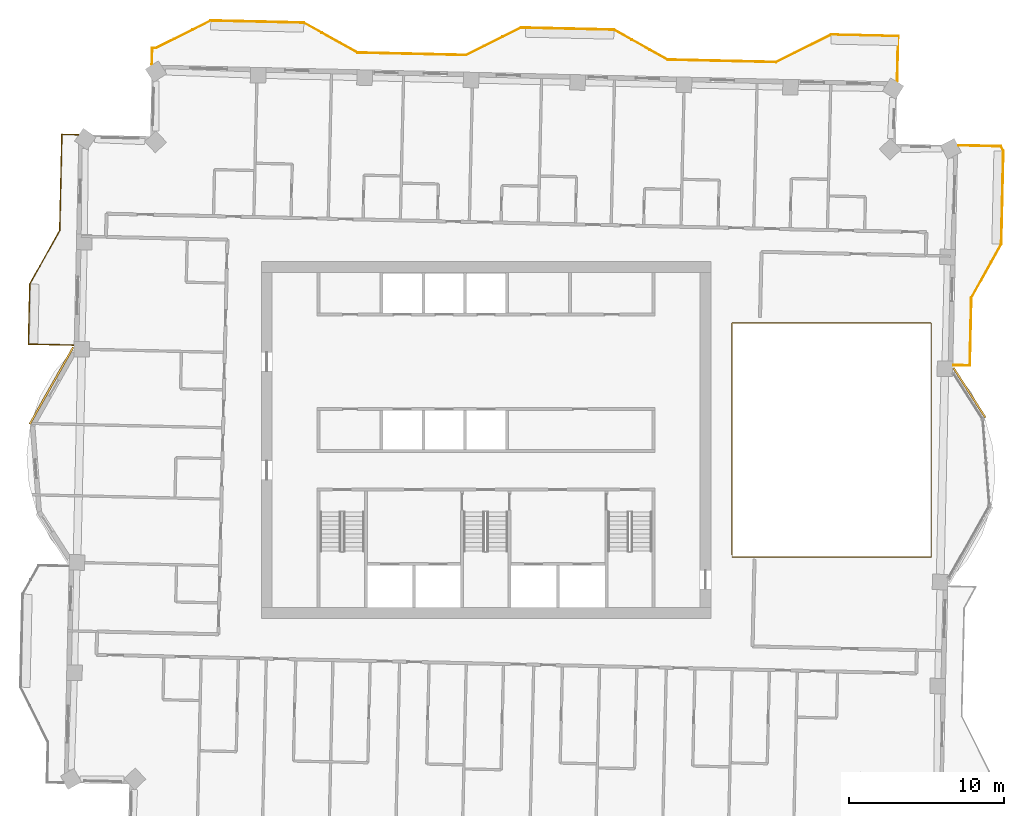
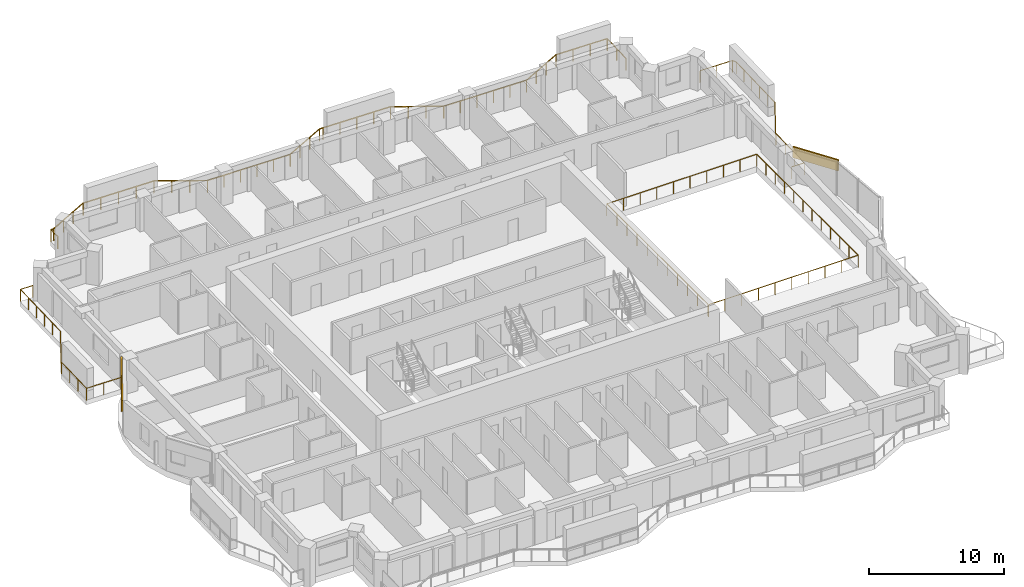
# One storey, part 17 of 17: 4 railings, 2 coverings.
"""IFC4 building model written with IfcOpenShell, lengths in metres."""

from ifc_helpers import new_model, si_unit, direction, frame, frame_2d, origin, origin_2d, place, context, subcontext, project, spatial, rectangle, extrude, material, layer, layer_set, type_object, element, save


model = new_model("IFC4")

# Units and contexts
model_context = context("Model", 3, precision=1e-05, world=origin(), true_north=direction((0.0, 1.0)))
body_context = subcontext(model_context, "Body", "Model", "MODEL_VIEW")
ifc_project = project(units=[si_unit("LENGTHUNIT", "METRE"), si_unit("AREAUNIT", "SQUARE_METRE"), si_unit("VOLUMEUNIT", "CUBIC_METRE"), si_unit("PLANEANGLEUNIT", "RADIAN"), si_unit("MASSUNIT", "GRAM", prefix="KILO")], contexts=[model_context])

# Site, building, storey
site_placement = place(None, origin())
site = spatial("IfcSite", under=ifc_project, at=site_placement, CompositionType="ELEMENT")
building_placement = place(site_placement, origin())
building = spatial("IfcBuilding", under=site, at=building_placement, Name="Mangrove Gate Tower", CompositionType="ELEMENT")
storey_placement = place(building_placement, frame((0.0, 0.0, 264.5)))
storey = spatial("IfcBuildingStorey", under=building, at=storey_placement, Name="L67", CompositionType="ELEMENT", Elevation=264.5)

# Railings
ifc_material_1 = material(Name="Stainless steel grade 316 with laminated glass infill", Category="steel")
railing_type = type_object("IfcRailingType", Name="Balcony guard 1100", PredefinedType="GUARDRAIL", material=ifc_material_1)
railing_1_placement = place(storey_placement, frame((30.1298828125, 4.830078125, 0.0)))
element("IfcRailing", 1, at=railing_1_placement, inside=storey, type_object=railing_type, Name="GUARD L67 E2", PredefinedType="GUARDRAIL", context=body_context, shape_type="SweptSolid", body=[
    extrude(rectangle(XDim=0.048095703125, YDim=0.048095703125, at=origin_2d()), frame((0.0, 0.0, 1.076171875), z_axis=(0.999740168701, -0.022794628443, 0.0), x_axis=(0.022794628443, 0.999740168701, 0.0)), (0.0, 0.0, 1.0), 1.060302734375),
    extrude(rectangle(XDim=0.048095703125, YDim=0.048095703125, at=origin_2d()), frame((1.06005859375, -0.024169921875, 1.076171875), z_axis=(0.022660548572, 0.9997432168, 0.0), x_axis=(-0.9997432168, 0.022660548572, 0.0)), (0.0, 0.0, 1.0), 4.374267578125),
    extrude(rectangle(XDim=0.048095703125, YDim=0.048095703125, at=origin_2d()), frame((1.1591796875, 4.348876953125, 1.076171875), z_axis=(0.48726008209, 0.87325689943, 0.0), x_axis=(-0.87325689943, 0.48726008209, 0.0)), (0.0, 0.0, 1.0), 3.958740234375),
    extrude(rectangle(XDim=0.048095703125, YDim=0.048095703125, at=origin_2d()), frame((3.088134765625, 7.805908203125, 1.076171875), z_axis=(0.022662255828, 0.999743178102, 0.0), x_axis=(-0.999743178102, 0.022662255828, 0.0)), (0.0, 0.0, 1.0), 6.00048828125),
    extrude(rectangle(XDim=0.048095703125, YDim=0.048095703125, at=origin_2d()), frame((3.22412109375, 13.804931640625, 1.076171875), z_axis=(-0.446348091053, 0.894859420028, 0.0), x_axis=(-0.894859420028, -0.446348091053, 0.0)), (0.0, 0.0, 1.0), 0.338623046875),
    extrude(rectangle(XDim=0.048095703125, YDim=0.048095703125, at=origin_2d()), frame((3.072998046875, 14.10791015625, 1.076171875), z_axis=(-0.999737973619, 0.022890699076, 0.0), x_axis=(-0.022890699076, -0.999737973619, 0.0)), (0.0, 0.0, 1.0), 2.751708984375),
    extrude(rectangle(XDim=0.0419921875, YDim=0.0419921875, at=origin_2d()), origin(), (0.0, 0.0, 1.0), 1.052001953125),
    extrude(rectangle(XDim=0.0419921875, YDim=0.0419921875, at=origin_2d()), frame((1.06005859375, -0.024169921875, 0.0)), (0.0, 0.0, 1.0), 1.052001953125),
    extrude(rectangle(XDim=0.0419921875, YDim=0.0419921875, at=origin_2d()), frame((1.093017578125, 1.43359375, 0.0)), (0.0, 0.0, 1.0), 1.052001953125),
    extrude(rectangle(XDim=0.0419921875, YDim=0.0419921875, at=origin_2d()), frame((1.126220703125, 2.89111328125, 0.0)), (0.0, 0.0, 1.0), 1.052001953125),
    extrude(rectangle(XDim=0.0419921875, YDim=0.0419921875, at=origin_2d()), frame((1.1591796875, 4.348876953125, 0.0)), (0.0, 0.0, 1.0), 1.052001953125),
    extrude(rectangle(XDim=0.0419921875, YDim=0.0419921875, at=origin_2d()), frame((1.80224609375, 5.501220703125, 0.0)), (0.0, 0.0, 1.0), 1.052001953125),
    extrude(rectangle(XDim=0.0419921875, YDim=0.0419921875, at=origin_2d()), frame((2.445068359375, 6.653564453125, 0.0)), (0.0, 0.0, 1.0), 1.052001953125),
    extrude(rectangle(XDim=0.0419921875, YDim=0.0419921875, at=origin_2d()), frame((3.088134765625, 7.805908203125, 0.0)), (0.0, 0.0, 1.0), 1.052001953125),
    extrude(rectangle(XDim=0.0419921875, YDim=0.0419921875, at=origin_2d()), frame((3.115234375, 9.005615234375, 0.0)), (0.0, 0.0, 1.0), 1.052001953125),
    extrude(rectangle(XDim=0.0419921875, YDim=0.0419921875, at=origin_2d()), frame((3.142578125, 10.20556640625, 0.0)), (0.0, 0.0, 1.0), 1.052001953125),
    extrude(rectangle(XDim=0.0419921875, YDim=0.0419921875, at=origin_2d()), frame((3.169677734375, 11.4052734375, 0.0)), (0.0, 0.0, 1.0), 1.052001953125),
    extrude(rectangle(XDim=0.0419921875, YDim=0.0419921875, at=origin_2d()), frame((3.197021484375, 12.605224609375, 0.0)), (0.0, 0.0, 1.0), 1.052001953125),
    extrude(rectangle(XDim=0.0419921875, YDim=0.0419921875, at=origin_2d()), frame((3.22412109375, 13.804931640625, 0.0)), (0.0, 0.0, 1.0), 1.052001953125),
    extrude(rectangle(XDim=0.0419921875, YDim=0.0419921875, at=origin_2d()), frame((3.072998046875, 14.10791015625, 0.0)), (0.0, 0.0, 1.0), 1.052001953125),
    extrude(rectangle(XDim=0.0419921875, YDim=0.0419921875, at=origin_2d()), frame((1.697509765625, 14.139404296875, 0.0)), (0.0, 0.0, 1.0), 1.052001953125),
    extrude(rectangle(XDim=0.0419921875, YDim=0.0419921875, at=origin_2d()), frame((0.322021484375, 14.1708984375, 0.0)), (0.0, 0.0, 1.0), 1.052001953125),
])
railing_2_placement = place(storey_placement, frame((26.5048828125, 23.131103515625, 0.0)))
element("IfcRailing", 2, at=railing_2_placement, inside=storey, type_object=railing_type, Name="GUARD L67 N1", PredefinedType="GUARDRAIL", context=body_context, shape_type="SweptSolid", body=[
    extrude(rectangle(XDim=0.048095703125, YDim=0.048095703125, at=origin_2d()), frame((0.0, 0.0, 1.076171875), z_axis=(0.02273093202, 0.999741618984, 0.0), x_axis=(-0.999741618984, 0.02273093202, 0.0)), (0.0, 0.0, 1.0), 2.91064453125),
    extrude(rectangle(XDim=0.048095703125, YDim=0.048095703125, at=origin_2d()), frame((0.066162109375, 2.909912109375, 1.076171875), z_axis=(-0.999745080894, 0.022578158225, 0.0), x_axis=(-0.022578158225, -0.999745080894, 0.0)), (0.0, 0.0, 1.0), 4.336181640625),
    extrude(rectangle(XDim=0.048095703125, YDim=0.048095703125, at=origin_2d()), frame((-4.268798828125, 3.0078125, 1.076171875), z_axis=(-0.894476522376, -0.447114919141, 0.0), x_axis=(0.447114919141, -0.894476522376, 0.0)), (0.0, 0.0, 1.0), 3.958740234375),
    extrude(rectangle(XDim=0.048095703125, YDim=0.048095703125, at=origin_2d()), frame((-7.809814453125, 1.23779296875, 1.076171875), z_axis=(-0.999741475346, 0.022737248567, 0.0), x_axis=(-0.022737248567, -0.999741475346, 0.0)), (0.0, 0.0, 1.0), 7.000732421875),
    extrude(rectangle(XDim=0.048095703125, YDim=0.048095703125, at=origin_2d()), frame((-14.808837890625, 1.39697265625, 1.076171875), z_axis=(-0.87325689943, 0.48726008209, 0.0), x_axis=(-0.48726008209, -0.87325689943, 0.0)), (0.0, 0.0, 1.0), 3.958740234375),
    extrude(rectangle(XDim=0.048095703125, YDim=0.048095703125, at=origin_2d()), frame((-18.265869140625, 3.325927734375, 1.076171875), z_axis=(-0.999744196375, 0.022617290187, 0.0), x_axis=(-0.022617290187, -0.999744196375, 0.0)), (0.0, 0.0, 1.0), 5.699462890625),
    extrude(rectangle(XDim=0.048095703125, YDim=0.048095703125, at=origin_2d()), frame((-23.9638671875, 3.454833984375, 1.076171875), z_axis=(-0.999721720687, 0.023589853458, 0.0), x_axis=(-0.023589853458, -0.999721720687, 0.0)), (0.0, 0.0, 1.0), 0.300048828125),
    extrude(rectangle(XDim=0.048095703125, YDim=0.048095703125, at=origin_2d()), frame((-24.263916015625, 3.4619140625, 1.076171875), z_axis=(-0.894476522376, -0.447114919141, 0.0), x_axis=(0.447114919141, -0.894476522376, 0.0)), (0.0, 0.0, 1.0), 3.958740234375),
    extrude(rectangle(XDim=0.048095703125, YDim=0.048095703125, at=origin_2d()), frame((-27.804931640625, 1.69189453125, 1.076171875), z_axis=(-0.999745352708, 0.022566119286, 0.0), x_axis=(-0.022566119286, -0.999745352708, 0.0)), (0.0, 0.0, 1.0), 6.999755859375),
    extrude(rectangle(XDim=0.048095703125, YDim=0.048095703125, at=origin_2d()), frame((-34.802978515625, 1.849853515625, 1.076171875), z_axis=(-0.873315448515, 0.487155136876, 0.0), x_axis=(-0.487155136876, -0.873315448515, 0.0)), (0.0, 0.0, 1.0), 3.959716796875),
    extrude(rectangle(XDim=0.048095703125, YDim=0.048095703125, at=origin_2d()), frame((-38.260986328125, 3.77880859375, 1.076171875), z_axis=(-0.999743073592, 0.022666865795, 0.0), x_axis=(-0.022666865795, -0.999743073592, 0.0)), (0.0, 0.0, 1.0), 5.999267578125),
    extrude(rectangle(XDim=0.048095703125, YDim=0.048095703125, at=origin_2d()), frame((-44.2587890625, 3.914794921875, 1.076171875), z_axis=(-0.894476522376, -0.447114919141, 0.0), x_axis=(0.447114919141, -0.894476522376, 0.0)), (0.0, 0.0, 1.0), 3.958740234375),
    extrude(rectangle(XDim=0.048095703125, YDim=0.048095703125, at=origin_2d()), frame((-47.7998046875, 2.144775390625, 1.076171875), z_axis=(-0.999665974646, 0.025844518476, 0.0), x_axis=(-0.025844518476, -0.999665974646, 0.0)), (0.0, 0.0, 1.0), 0.236083984375),
    extrude(rectangle(XDim=0.048095703125, YDim=0.048095703125, at=origin_2d()), frame((-48.035888671875, 2.15087890625, 1.076171875), z_axis=(-0.022564497502, -0.999745389313, 0.0), x_axis=(0.999745389313, -0.022564497502, 0.0)), (0.0, 0.0, 1.0), 1.060302734375),
    extrude(rectangle(XDim=0.0419921875, YDim=0.0419921875, at=origin_2d()), origin(), (0.0, 0.0, 1.0), 1.052001953125),
    extrude(rectangle(XDim=0.0419921875, YDim=0.0419921875, at=origin_2d()), frame((0.033203125, 1.455078125, 0.0)), (0.0, 0.0, 1.0), 1.052001953125),
    extrude(rectangle(XDim=0.0419921875, YDim=0.0419921875, at=origin_2d()), frame((0.066162109375, 2.909912109375, 0.0)), (0.0, 0.0, 1.0), 1.052001953125),
    extrude(rectangle(XDim=0.0419921875, YDim=0.0419921875, at=origin_2d()), frame((-1.37890625, 2.942626953125, 0.0)), (0.0, 0.0, 1.0), 1.052001953125),
    extrude(rectangle(XDim=0.0419921875, YDim=0.0419921875, at=origin_2d()), frame((-2.82373046875, 2.97509765625, 0.0)), (0.0, 0.0, 1.0), 1.052001953125),
    extrude(rectangle(XDim=0.0419921875, YDim=0.0419921875, at=origin_2d()), frame((-4.268798828125, 3.0078125, 0.0)), (0.0, 0.0, 1.0), 1.052001953125),
    extrude(rectangle(XDim=0.0419921875, YDim=0.0419921875, at=origin_2d()), frame((-5.44921875, 2.417724609375, 0.0)), (0.0, 0.0, 1.0), 1.052001953125),
    extrude(rectangle(XDim=0.0419921875, YDim=0.0419921875, at=origin_2d()), frame((-6.62939453125, 1.827880859375, 0.0)), (0.0, 0.0, 1.0), 1.052001953125),
    extrude(rectangle(XDim=0.0419921875, YDim=0.0419921875, at=origin_2d()), frame((-7.809814453125, 1.23779296875, 0.0)), (0.0, 0.0, 1.0), 1.052001953125),
    extrude(rectangle(XDim=0.0419921875, YDim=0.0419921875, at=origin_2d()), frame((-9.209716796875, 1.26953125, 0.0)), (0.0, 0.0, 1.0), 1.052001953125),
    extrude(rectangle(XDim=0.0419921875, YDim=0.0419921875, at=origin_2d()), frame((-10.609375, 1.301513671875, 0.0)), (0.0, 0.0, 1.0), 1.052001953125),
    extrude(rectangle(XDim=0.0419921875, YDim=0.0419921875, at=origin_2d()), frame((-12.00927734375, 1.333251953125, 0.0)), (0.0, 0.0, 1.0), 1.052001953125),
    extrude(rectangle(XDim=0.0419921875, YDim=0.0419921875, at=origin_2d()), frame((-13.408935546875, 1.365234375, 0.0)), (0.0, 0.0, 1.0), 1.052001953125),
    extrude(rectangle(XDim=0.0419921875, YDim=0.0419921875, at=origin_2d()), frame((-14.808837890625, 1.39697265625, 0.0)), (0.0, 0.0, 1.0), 1.052001953125),
    extrude(rectangle(XDim=0.0419921875, YDim=0.0419921875, at=origin_2d()), frame((-15.961181640625, 2.0400390625, 0.0)), (0.0, 0.0, 1.0), 1.052001953125),
    extrude(rectangle(XDim=0.0419921875, YDim=0.0419921875, at=origin_2d()), frame((-17.113525390625, 2.682861328125, 0.0)), (0.0, 0.0, 1.0), 1.052001953125),
    extrude(rectangle(XDim=0.0419921875, YDim=0.0419921875, at=origin_2d()), frame((-18.265869140625, 3.325927734375, 0.0)), (0.0, 0.0, 1.0), 1.052001953125),
    extrude(rectangle(XDim=0.0419921875, YDim=0.0419921875, at=origin_2d()), frame((-19.6904296875, 3.358154296875, 0.0)), (0.0, 0.0, 1.0), 1.052001953125),
    extrude(rectangle(XDim=0.0419921875, YDim=0.0419921875, at=origin_2d()), frame((-21.11474609375, 3.390380859375, 0.0)), (0.0, 0.0, 1.0), 1.052001953125),
    extrude(rectangle(XDim=0.0419921875, YDim=0.0419921875, at=origin_2d()), frame((-22.539306640625, 3.422607421875, 0.0)), (0.0, 0.0, 1.0), 1.052001953125),
    extrude(rectangle(XDim=0.0419921875, YDim=0.0419921875, at=origin_2d()), frame((-23.9638671875, 3.454833984375, 0.0)), (0.0, 0.0, 1.0), 1.052001953125),
    extrude(rectangle(XDim=0.0419921875, YDim=0.0419921875, at=origin_2d()), frame((-24.263916015625, 3.4619140625, 0.0)), (0.0, 0.0, 1.0), 1.052001953125),
    extrude(rectangle(XDim=0.0419921875, YDim=0.0419921875, at=origin_2d()), frame((-25.4443359375, 2.871826171875, 0.0)), (0.0, 0.0, 1.0), 1.052001953125),
    extrude(rectangle(XDim=0.0419921875, YDim=0.0419921875, at=origin_2d()), frame((-26.62451171875, 2.281982421875, 0.0)), (0.0, 0.0, 1.0), 1.052001953125),
    extrude(rectangle(XDim=0.0419921875, YDim=0.0419921875, at=origin_2d()), frame((-27.804931640625, 1.69189453125, 0.0)), (0.0, 0.0, 1.0), 1.052001953125),
    extrude(rectangle(XDim=0.0419921875, YDim=0.0419921875, at=origin_2d()), frame((-29.20458984375, 1.723388671875, 0.0)), (0.0, 0.0, 1.0), 1.052001953125),
    extrude(rectangle(XDim=0.0419921875, YDim=0.0419921875, at=origin_2d()), frame((-30.604248046875, 1.755126953125, 0.0)), (0.0, 0.0, 1.0), 1.052001953125),
    extrude(rectangle(XDim=0.0419921875, YDim=0.0419921875, at=origin_2d()), frame((-32.003662109375, 1.78662109375, 0.0)), (0.0, 0.0, 1.0), 1.052001953125),
    extrude(rectangle(XDim=0.0419921875, YDim=0.0419921875, at=origin_2d()), frame((-33.4033203125, 1.818359375, 0.0)), (0.0, 0.0, 1.0), 1.052001953125),
    extrude(rectangle(XDim=0.0419921875, YDim=0.0419921875, at=origin_2d()), frame((-34.802978515625, 1.849853515625, 0.0)), (0.0, 0.0, 1.0), 1.052001953125),
    extrude(rectangle(XDim=0.0419921875, YDim=0.0419921875, at=origin_2d()), frame((-35.95556640625, 2.492919921875, 0.0)), (0.0, 0.0, 1.0), 1.052001953125),
    extrude(rectangle(XDim=0.0419921875, YDim=0.0419921875, at=origin_2d()), frame((-37.1083984375, 3.1357421875, 0.0)), (0.0, 0.0, 1.0), 1.052001953125),
    extrude(rectangle(XDim=0.0419921875, YDim=0.0419921875, at=origin_2d()), frame((-38.260986328125, 3.77880859375, 0.0)), (0.0, 0.0, 1.0), 1.052001953125),
    extrude(rectangle(XDim=0.0419921875, YDim=0.0419921875, at=origin_2d()), frame((-39.760498046875, 3.812744140625, 0.0)), (0.0, 0.0, 1.0), 1.052001953125),
    extrude(rectangle(XDim=0.0419921875, YDim=0.0419921875, at=origin_2d()), frame((-41.259765625, 3.8466796875, 0.0)), (0.0, 0.0, 1.0), 1.052001953125),
    extrude(rectangle(XDim=0.0419921875, YDim=0.0419921875, at=origin_2d()), frame((-42.75927734375, 3.880859375, 0.0)), (0.0, 0.0, 1.0), 1.052001953125),
    extrude(rectangle(XDim=0.0419921875, YDim=0.0419921875, at=origin_2d()), frame((-44.2587890625, 3.914794921875, 0.0)), (0.0, 0.0, 1.0), 1.052001953125),
    extrude(rectangle(XDim=0.0419921875, YDim=0.0419921875, at=origin_2d()), frame((-45.439208984375, 3.32470703125, 0.0)), (0.0, 0.0, 1.0), 1.052001953125),
    extrude(rectangle(XDim=0.0419921875, YDim=0.0419921875, at=origin_2d()), frame((-46.619384765625, 2.73486328125, 0.0)), (0.0, 0.0, 1.0), 1.052001953125),
    extrude(rectangle(XDim=0.0419921875, YDim=0.0419921875, at=origin_2d()), frame((-47.7998046875, 2.144775390625, 0.0)), (0.0, 0.0, 1.0), 1.052001953125),
    extrude(rectangle(XDim=0.0419921875, YDim=0.0419921875, at=origin_2d()), frame((-48.035888671875, 2.15087890625, 0.0)), (0.0, 0.0, 1.0), 1.052001953125),
    extrude(rectangle(XDim=0.0419921875, YDim=0.0419921875, at=origin_2d()), frame((-48.059814453125, 1.0908203125, 0.0)), (0.0, 0.0, 1.0), 1.052001953125),
])
railing_3_placement = place(storey_placement, frame((-26.299072265625, 19.68896484375, 0.0)))
element("IfcRailing", 3, at=railing_3_placement, inside=storey, type_object=railing_type, Name="GUARD L67 W1", PredefinedType="GUARDRAIL", context=body_context, shape_type="SweptSolid", body=[
    extrude(rectangle(XDim=0.048095703125, YDim=0.048095703125, at=origin_2d()), frame((0.0, 0.0, 1.076171875), z_axis=(-0.999765634628, 0.021648921828, 0.0), x_axis=(-0.021648921828, -0.999765634628, 0.0)), (0.0, 0.0, 1.0), 1.06005859375),
    extrude(rectangle(XDim=0.048095703125, YDim=0.048095703125, at=origin_2d()), frame((-1.059814453125, 0.02294921875, 1.076171875), z_axis=(-0.022604220207, -0.999744491972, 0.0), x_axis=(0.999744491972, -0.022604220207, 0.0)), (0.0, 0.0, 1.0), 6.199462890625),
    extrude(rectangle(XDim=0.048095703125, YDim=0.048095703125, at=origin_2d()), frame((-1.199951171875, -6.175048828125, 1.076171875), z_axis=(-0.48726008209, -0.87325689943, 0.0), x_axis=(0.87325689943, -0.48726008209, 0.0)), (0.0, 0.0, 1.0), 3.958740234375),
    extrude(rectangle(XDim=0.048095703125, YDim=0.048095703125, at=origin_2d()), frame((-3.12890625, -9.632080078125, 1.076171875), z_axis=(-0.022745736617, -0.999741282265, 0.0), x_axis=(0.999741282265, -0.022745736617, 0.0)), (0.0, 0.0, 1.0), 3.874755859375),
    extrude(rectangle(XDim=0.048095703125, YDim=0.048095703125, at=origin_2d()), frame((-3.217041015625, -13.505859375, 1.076171875), z_axis=(0.999741488917, -0.022736651854, 0.0), x_axis=(0.022736651854, 0.999741488917, 0.0)), (0.0, 0.0, 1.0), 2.909912109375),
    extrude(rectangle(XDim=0.0419921875, YDim=0.0419921875, at=origin_2d()), origin(), (0.0, 0.0, 1.0), 1.052001953125),
    extrude(rectangle(XDim=0.0419921875, YDim=0.0419921875, at=origin_2d()), frame((-1.059814453125, 0.02294921875, 0.0)), (0.0, 0.0, 1.0), 1.052001953125),
    extrude(rectangle(XDim=0.0419921875, YDim=0.0419921875, at=origin_2d()), frame((-1.087890625, -1.216552734375, 0.0)), (0.0, 0.0, 1.0), 1.052001953125),
    extrude(rectangle(XDim=0.0419921875, YDim=0.0419921875, at=origin_2d()), frame((-1.115966796875, -2.456298828125, 0.0)), (0.0, 0.0, 1.0), 1.052001953125),
    extrude(rectangle(XDim=0.0419921875, YDim=0.0419921875, at=origin_2d()), frame((-1.143798828125, -3.69580078125, 0.0)), (0.0, 0.0, 1.0), 1.052001953125),
    extrude(rectangle(XDim=0.0419921875, YDim=0.0419921875, at=origin_2d()), frame((-1.171875, -4.935546875, 0.0)), (0.0, 0.0, 1.0), 1.052001953125),
    extrude(rectangle(XDim=0.0419921875, YDim=0.0419921875, at=origin_2d()), frame((-1.199951171875, -6.175048828125, 0.0)), (0.0, 0.0, 1.0), 1.052001953125),
    extrude(rectangle(XDim=0.0419921875, YDim=0.0419921875, at=origin_2d()), frame((-1.843017578125, -7.327392578125, 0.0)), (0.0, 0.0, 1.0), 1.052001953125),
    extrude(rectangle(XDim=0.0419921875, YDim=0.0419921875, at=origin_2d()), frame((-2.48583984375, -8.479736328125, 0.0)), (0.0, 0.0, 1.0), 1.052001953125),
    extrude(rectangle(XDim=0.0419921875, YDim=0.0419921875, at=origin_2d()), frame((-3.12890625, -9.632080078125, 0.0)), (0.0, 0.0, 1.0), 1.052001953125),
    extrude(rectangle(XDim=0.0419921875, YDim=0.0419921875, at=origin_2d()), frame((-3.158203125, -10.92333984375, 0.0)), (0.0, 0.0, 1.0), 1.052001953125),
    extrude(rectangle(XDim=0.0419921875, YDim=0.0419921875, at=origin_2d()), frame((-3.187744140625, -12.214599609375, 0.0)), (0.0, 0.0, 1.0), 1.052001953125),
    extrude(rectangle(XDim=0.0419921875, YDim=0.0419921875, at=origin_2d()), frame((-3.217041015625, -13.505859375, 0.0)), (0.0, 0.0, 1.0), 1.052001953125),
    extrude(rectangle(XDim=0.0419921875, YDim=0.0419921875, at=origin_2d()), frame((-1.762451171875, -13.5390625, 0.0)), (0.0, 0.0, 1.0), 1.052001953125),
    extrude(rectangle(XDim=0.0419921875, YDim=0.0419921875, at=origin_2d()), frame((-0.307861328125, -13.572021484375, 0.0)), (0.0, 0.0, 1.0), 1.052001953125),
])
railing_4_placement = place(storey_placement, frame((15.860107421875, -7.5400390625, 0.0)))
element("IfcRailing", 4, at=railing_4_placement, inside=storey, type_object=railing_type, Name="GUARD L67 atrium", PredefinedType="GUARDRAIL", context=body_context, shape_type="SweptSolid", body=[
    extrude(rectangle(XDim=0.048095703125, YDim=0.048095703125, at=origin_2d()), frame((0.0, 0.0, 1.076171875), z_axis=(1.0, 0.0, 0.0), x_axis=(0.0, 1.0, 0.0)), (0.0, 0.0, 1.0), 12.8388671875),
    extrude(rectangle(XDim=0.048095703125, YDim=0.048095703125, at=origin_2d()), frame((12.8388671875, 0.0, 1.076171875), z_axis=(0.0, 1.0, 0.0), x_axis=(-1.0, 0.0, 0.0)), (0.0, 0.0, 1.0), 15.080078125),
    extrude(rectangle(XDim=0.048095703125, YDim=0.048095703125, at=origin_2d()), frame((12.8388671875, 15.080078125, 1.076171875), z_axis=(-1.0, 0.0, 0.0), x_axis=(0.0, -1.0, 0.0)), (0.0, 0.0, 1.0), 12.8388671875),
    extrude(rectangle(XDim=0.048095703125, YDim=0.048095703125, at=origin_2d()), frame((0.0, 15.080078125, 1.076171875), z_axis=(0.0, -1.0, 0.0), x_axis=(1.0, 0.0, 0.0)), (0.0, 0.0, 1.0), 14.9599609375),
    extrude(rectangle(XDim=0.0419921875, YDim=0.0419921875, at=origin_2d()), origin(), (0.0, 0.0, 1.0), 1.052001953125),
    extrude(rectangle(XDim=0.0419921875, YDim=0.0419921875, at=origin_2d()), frame((1.426513671875, 0.0, 0.0)), (0.0, 0.0, 1.0), 1.052001953125),
    extrude(rectangle(XDim=0.0419921875, YDim=0.0419921875, at=origin_2d()), frame((2.85302734375, 0.0, 0.0)), (0.0, 0.0, 1.0), 1.052001953125),
    extrude(rectangle(XDim=0.0419921875, YDim=0.0419921875, at=origin_2d()), frame((4.279541015625, 0.0, 0.0)), (0.0, 0.0, 1.0), 1.052001953125),
    extrude(rectangle(XDim=0.0419921875, YDim=0.0419921875, at=origin_2d()), frame((5.7060546875, 0.0, 0.0)), (0.0, 0.0, 1.0), 1.052001953125),
    extrude(rectangle(XDim=0.0419921875, YDim=0.0419921875, at=origin_2d()), frame((7.1328125, 0.0, 0.0)), (0.0, 0.0, 1.0), 1.052001953125),
    extrude(rectangle(XDim=0.0419921875, YDim=0.0419921875, at=origin_2d()), frame((8.559326171875, 0.0, 0.0)), (0.0, 0.0, 1.0), 1.052001953125),
    extrude(rectangle(XDim=0.0419921875, YDim=0.0419921875, at=origin_2d()), frame((9.98583984375, 0.0, 0.0)), (0.0, 0.0, 1.0), 1.052001953125),
    extrude(rectangle(XDim=0.0419921875, YDim=0.0419921875, at=origin_2d()), frame((11.412353515625, 0.0, 0.0)), (0.0, 0.0, 1.0), 1.052001953125),
    extrude(rectangle(XDim=0.0419921875, YDim=0.0419921875, at=origin_2d()), frame((12.8388671875, 0.0, 0.0)), (0.0, 0.0, 1.0), 1.052001953125),
    extrude(rectangle(XDim=0.0419921875, YDim=0.0419921875, at=origin_2d()), frame((12.8388671875, 1.370849609375, 0.0)), (0.0, 0.0, 1.0), 1.052001953125),
    extrude(rectangle(XDim=0.0419921875, YDim=0.0419921875, at=origin_2d()), frame((12.8388671875, 2.741943359375, 0.0)), (0.0, 0.0, 1.0), 1.052001953125),
    extrude(rectangle(XDim=0.0419921875, YDim=0.0419921875, at=origin_2d()), frame((12.8388671875, 4.11279296875, 0.0)), (0.0, 0.0, 1.0), 1.052001953125),
    extrude(rectangle(XDim=0.0419921875, YDim=0.0419921875, at=origin_2d()), frame((12.8388671875, 5.483642578125, 0.0)), (0.0, 0.0, 1.0), 1.052001953125),
    extrude(rectangle(XDim=0.0419921875, YDim=0.0419921875, at=origin_2d()), frame((12.8388671875, 6.8544921875, 0.0)), (0.0, 0.0, 1.0), 1.052001953125),
    extrude(rectangle(XDim=0.0419921875, YDim=0.0419921875, at=origin_2d()), frame((12.8388671875, 8.2255859375, 0.0)), (0.0, 0.0, 1.0), 1.052001953125),
    extrude(rectangle(XDim=0.0419921875, YDim=0.0419921875, at=origin_2d()), frame((12.8388671875, 9.596435546875, 0.0)), (0.0, 0.0, 1.0), 1.052001953125),
    extrude(rectangle(XDim=0.0419921875, YDim=0.0419921875, at=origin_2d()), frame((12.8388671875, 10.96728515625, 0.0)), (0.0, 0.0, 1.0), 1.052001953125),
    extrude(rectangle(XDim=0.0419921875, YDim=0.0419921875, at=origin_2d()), frame((12.8388671875, 12.338134765625, 0.0)), (0.0, 0.0, 1.0), 1.052001953125),
    extrude(rectangle(XDim=0.0419921875, YDim=0.0419921875, at=origin_2d()), frame((12.8388671875, 13.709228515625, 0.0)), (0.0, 0.0, 1.0), 1.052001953125),
    extrude(rectangle(XDim=0.0419921875, YDim=0.0419921875, at=origin_2d()), frame((12.8388671875, 15.080078125, 0.0)), (0.0, 0.0, 1.0), 1.052001953125),
    extrude(rectangle(XDim=0.0419921875, YDim=0.0419921875, at=origin_2d()), frame((11.412353515625, 15.080078125, 0.0)), (0.0, 0.0, 1.0), 1.052001953125),
    extrude(rectangle(XDim=0.0419921875, YDim=0.0419921875, at=origin_2d()), frame((9.98583984375, 15.080078125, 0.0)), (0.0, 0.0, 1.0), 1.052001953125),
    extrude(rectangle(XDim=0.0419921875, YDim=0.0419921875, at=origin_2d()), frame((8.559326171875, 15.080078125, 0.0)), (0.0, 0.0, 1.0), 1.052001953125),
    extrude(rectangle(XDim=0.0419921875, YDim=0.0419921875, at=origin_2d()), frame((7.1328125, 15.080078125, 0.0)), (0.0, 0.0, 1.0), 1.052001953125),
    extrude(rectangle(XDim=0.0419921875, YDim=0.0419921875, at=origin_2d()), frame((5.7060546875, 15.080078125, 0.0)), (0.0, 0.0, 1.0), 1.052001953125),
    extrude(rectangle(XDim=0.0419921875, YDim=0.0419921875, at=origin_2d()), frame((4.279541015625, 15.080078125, 0.0)), (0.0, 0.0, 1.0), 1.052001953125),
    extrude(rectangle(XDim=0.0419921875, YDim=0.0419921875, at=origin_2d()), frame((2.85302734375, 15.080078125, 0.0)), (0.0, 0.0, 1.0), 1.052001953125),
    extrude(rectangle(XDim=0.0419921875, YDim=0.0419921875, at=origin_2d()), frame((1.426513671875, 15.080078125, 0.0)), (0.0, 0.0, 1.0), 1.052001953125),
    extrude(rectangle(XDim=0.0419921875, YDim=0.0419921875, at=origin_2d()), frame((0.0, 15.080078125, 0.0)), (0.0, 0.0, 1.0), 1.052001953125),
    extrude(rectangle(XDim=0.0419921875, YDim=0.0419921875, at=origin_2d()), frame((0.0, 13.583984375, 0.0)), (0.0, 0.0, 1.0), 1.052001953125),
    extrude(rectangle(XDim=0.0419921875, YDim=0.0419921875, at=origin_2d()), frame((0.0, 12.088134765625, 0.0)), (0.0, 0.0, 1.0), 1.052001953125),
    extrude(rectangle(XDim=0.0419921875, YDim=0.0419921875, at=origin_2d()), frame((0.0, 10.592041015625, 0.0)), (0.0, 0.0, 1.0), 1.052001953125),
    extrude(rectangle(XDim=0.0419921875, YDim=0.0419921875, at=origin_2d()), frame((0.0, 9.09619140625, 0.0)), (0.0, 0.0, 1.0), 1.052001953125),
    extrude(rectangle(XDim=0.0419921875, YDim=0.0419921875, at=origin_2d()), frame((0.0, 7.60009765625, 0.0)), (0.0, 0.0, 1.0), 1.052001953125),
    extrude(rectangle(XDim=0.0419921875, YDim=0.0419921875, at=origin_2d()), frame((0.0, 6.10400390625, 0.0)), (0.0, 0.0, 1.0), 1.052001953125),
    extrude(rectangle(XDim=0.0419921875, YDim=0.0419921875, at=origin_2d()), frame((0.0, 4.608154296875, 0.0)), (0.0, 0.0, 1.0), 1.052001953125),
    extrude(rectangle(XDim=0.0419921875, YDim=0.0419921875, at=origin_2d()), frame((0.0, 3.112060546875, 0.0)), (0.0, 0.0, 1.0), 1.052001953125),
    extrude(rectangle(XDim=0.0419921875, YDim=0.0419921875, at=origin_2d()), frame((0.0, 1.6162109375, 0.0)), (0.0, 0.0, 1.0), 1.052001953125),
    extrude(rectangle(XDim=0.0419921875, YDim=0.0419921875, at=origin_2d()), frame((0.0, 0.1201171875, 0.0)), (0.0, 0.0, 1.0), 1.052001953125),
])

# Coverings
ifc_material_2 = material(Name="Limestone", Category="masonry")
ifc_layer_1 = layer(ifc_material_2, 0.0400390625, Name="Limestone cladding")
ifc_material_3 = material(Name="Stainless steel anchors and cavity", Category="steel")
ifc_layer_2 = layer(ifc_material_3, 0.080078125, Name="Fixing cavity")
ifc_layer_set = layer_set([ifc_layer_1, ifc_layer_2], Name="Joint fascia cladding 120")
covering_type = type_object("IfcCoveringType", Name="Joint fascia cladding 120", PredefinedType="CLADDING", material=ifc_layer_set)
covering_1_placement = place(storey_placement, frame((32.195068359375, 1.447021484375, 2.050048828125), z_axis=(0.0, 0.0, 1.0), x_axis=(-0.540602448732, 0.841278189676, 0.0)))
element("IfcCovering", 5, at=covering_1_placement, inside=storey, type_object=covering_type, Name="STONE FASCIA L67 E1.L2", PredefinedType="CLADDING", context=body_context, shape_type="SweptSolid", body=[
    extrude(rectangle(XDim=3.81787109375, YDim=0.1201171875, at=frame_2d((1.908935546875, 0.0))), origin(), (0.0, 0.0, 1.0), 1.0),
])
covering_2_placement = place(storey_placement, frame((-26.6201171875, 5.9931640625, 2.050048828125), z_axis=(0.0, 0.0, 1.0), x_axis=(-0.492443523438, -0.870344400926, 0.0)))
element("IfcCovering", 6, at=covering_2_placement, inside=storey, type_object=covering_type, Name="STONE FASCIA L67 W9.L1", PredefinedType="CLADDING", context=body_context, shape_type="SweptSolid", body=[
    extrude(rectangle(XDim=5.705810546875, YDim=0.1201171875, at=frame_2d((2.85302734375, 0.0))), origin(), (0.0, 0.0, 1.0), 1.0),
])

save(model, "model.ifc")
